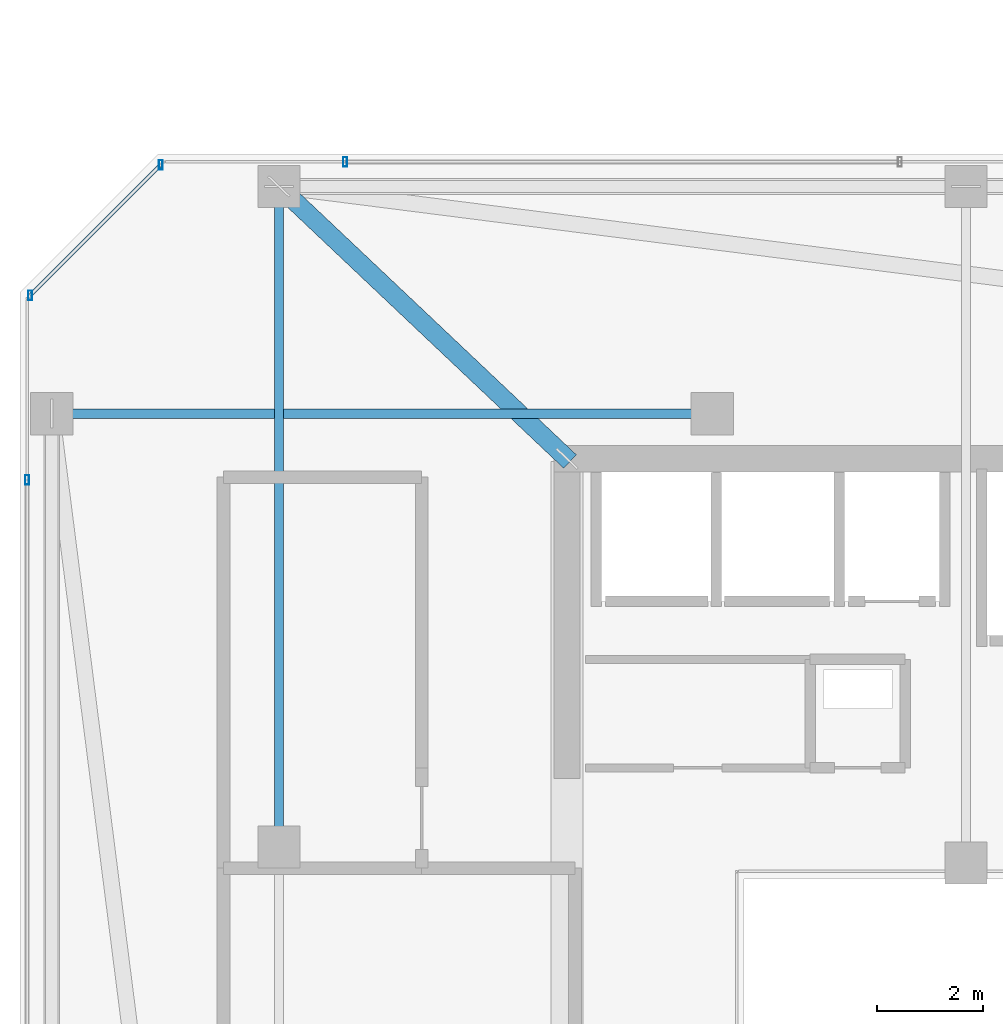
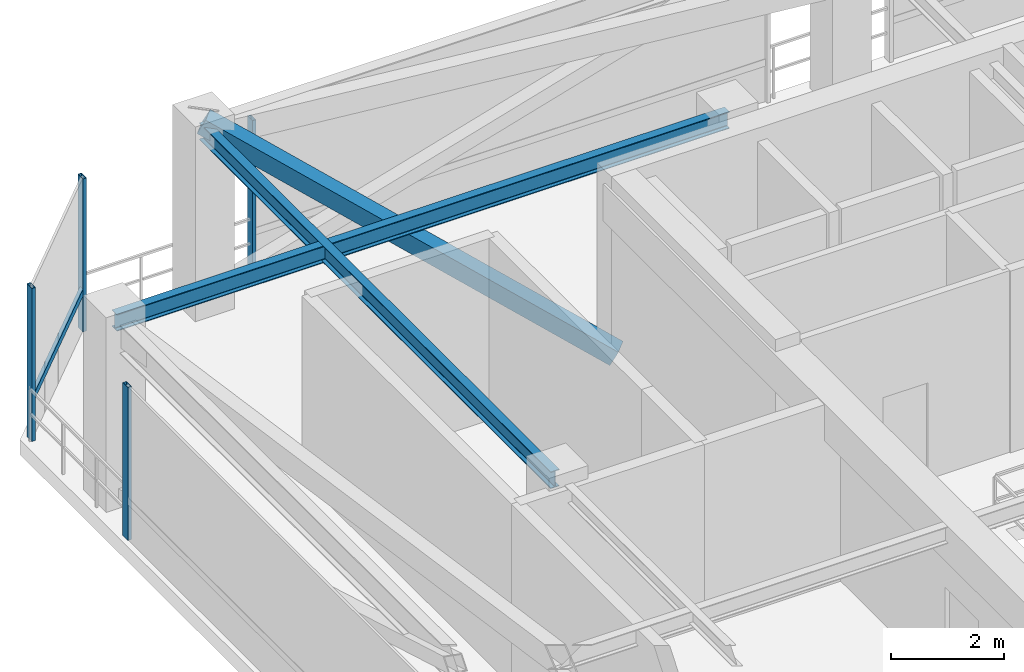
# One storey, part 20 of 47: 6 members, 2 beams, 3 elements without a shape of their own.
"""IFC4 building model written with IfcOpenShell, lengths in metres."""

from ifc_helpers import new_model, si_unit, direction, frame, origin, origin_2d, place, context, subcontext, project, spatial, hollow_rectangle, i_section, extrude, material, material_profile, profile_set, type_object, element, aggregate, save


model = new_model("IFC4")

# Units and contexts
model_context = context("Model", 3, precision=1e-05, world=origin(), true_north=direction((0.0, 1.0)))
body_context = subcontext(model_context, "Body", "Model", "MODEL_VIEW")
ifc_project = project(units=[si_unit("LENGTHUNIT", "METRE"), si_unit("AREAUNIT", "SQUARE_METRE"), si_unit("VOLUMEUNIT", "CUBIC_METRE"), si_unit("PLANEANGLEUNIT", "RADIAN"), si_unit("MASSUNIT", "GRAM", prefix="KILO")], contexts=[model_context])

# Site, building, storey
site_placement = place(None, origin())
site = spatial("IfcSite", under=ifc_project, at=site_placement, CompositionType="ELEMENT")
building_placement = place(site_placement, origin())
building = spatial("IfcBuilding", under=site, at=building_placement, Name="Thornwick Lancets Civic Towers", CompositionType="ELEMENT")
storey_placement = place(building_placement, frame((0.0, 0.0, 279.89990234375)))
storey = spatial("IfcBuildingStorey", under=building, at=storey_placement, Name="C01", CompositionType="ELEMENT", Elevation=279.89990234375)

# Beams
ifc_material_1 = material(Name="Steel S355JR", Category="steel")
ifc_material_profile_1 = material_profile(ifc_material_1, i_section(OverallWidth=0.173095703125, OverallDepth=0.36328125, WebThickness=0.009033203125, FlangeThickness=0.015625, FilletRadius=0.01025390625, at=origin_2d()), Name="UKB 356x171x67")
ifc_profile_set_1 = profile_set([ifc_material_profile_1], Name="Steel S355JR")
beam_type = type_object("IfcBeamType", Name="BM_JOIST_356_67", PredefinedType="JOIST", material=ifc_profile_set_1)
beam_1_placement = place(storey_placement, frame((12.5, 31.8798828125, 3.75830078125), z_axis=(0.0, 1.0, 0.0), x_axis=(-1.0, 0.0, 0.0)))
element("IfcBeam", 1, at=beam_1_placement, inside=storey, type_object=beam_type, Name="BM-RADIN-C01-A07", PredefinedType="JOIST", context=body_context, shape_type="SweptSolid", body=[
    extrude(i_section(OverallWidth=0.173095703125, OverallDepth=0.36328125, WebThickness=0.009033203125, FlangeThickness=0.015625, FilletRadius=0.01025390625, at=origin_2d()), origin(), (0.0, 0.0, 1.0), 12.420166015625),
])
beam_2_placement = place(storey_placement, frame((20.699951171875, 40.0, 3.75830078125), z_axis=(-1.0, 0.0, 0.0), x_axis=(0.0, -1.0, 0.0)))
element("IfcBeam", 2, at=beam_2_placement, inside=storey, type_object=beam_type, Name="BM-RADIN-C01-A12", PredefinedType="JOIST", context=body_context, shape_type="SweptSolid", body=[
    extrude(i_section(OverallWidth=0.173095703125, OverallDepth=0.36328125, WebThickness=0.009033203125, FlangeThickness=0.015625, FilletRadius=0.01025390625, at=origin_2d()), origin(), (0.0, 0.0, 1.0), 12.5),
])

# Curtain wall, member
ifc_material_2 = material(Name="Crown ring acoustic-louvre and glazing screen wall", Category="glass")
curtain_wall_type = type_object("IfcCurtainWallType", Name="CW_SYS_07", PredefinedType="NOTDEFINED", material=ifc_material_2)
curtain_wall_1_placement = place(storey_placement, origin())
curtain_wall_1 = element("IfcCurtainWall", 3, at=curtain_wall_1_placement, inside=storey, type_object=curtain_wall_type, Name="C01 Curtain Wall CW-C01-A-E4-S3", PredefinedType="NOTDEFINED")
ifc_material_3 = material(Name="Thermally broken bronze aluminium S355", Category="steel")
ifc_material_profile_2 = material_profile(ifc_material_3, hollow_rectangle(XDim=0.074951171875, YDim=0.179931640625, WallThickness=0.006103515625, at=origin_2d()), Name="RHS 180x75x6")
ifc_profile_set_2 = profile_set([ifc_material_profile_2], Name="Thermally broken bronze aluminium S355")
member_type_1 = type_object("IfcMemberType", Name="CW_MUL_180", PredefinedType="MULLION", material=ifc_profile_set_2)
member_1_placement = place(storey_placement, frame((13.75, 44.7646484375, 0.0), z_axis=(0.0, 0.0, 1.0), x_axis=(1.0, 0.0, 0.0)))
member_1 = element("IfcMember", 4, at=member_1_placement, type_object=member_type_1, Name="CW-C01-A-E4-S3 Mullion 1", PredefinedType="MULLION", context=body_context, shape_type="SweptSolid", body=[
    extrude(hollow_rectangle(XDim=0.074951171875, YDim=0.179931640625, WallThickness=0.006103515625, at=origin_2d()), origin(), (0.0, 0.0, 1.0), 3.300048828125),
])
aggregate(curtain_wall_1, [member_1])

# Curtain wall, members
curtain_wall_2_placement = place(storey_placement, origin())
curtain_wall_2 = element("IfcCurtainWall", 5, at=curtain_wall_2_placement, inside=storey, type_object=curtain_wall_type, Name="C01 Curtain Wall CW-C01-A-E5", PredefinedType="NOTDEFINED")
member_2_placement = place(storey_placement, frame((10.261962890625, 44.7080078125, 0.0), z_axis=(0.0, 0.0, 1.0), x_axis=(1.0, 0.0, 0.0)))
member_2 = element("IfcMember", 6, at=member_2_placement, type_object=member_type_1, Name="CW-C01-A-E5 Mullion 0", PredefinedType="MULLION", context=body_context, shape_type="SweptSolid", body=[
    extrude(hollow_rectangle(XDim=0.074951171875, YDim=0.179931640625, WallThickness=0.006103515625, at=origin_2d()), origin(), (0.0, 0.0, 1.0), 3.300048828125),
])
member_3_placement = place(storey_placement, frame((7.7919921875, 42.238037109375, 0.0), z_axis=(0.0, 0.0, 1.0), x_axis=(1.0, 0.0, 0.0)))
member_3 = element("IfcMember", 7, at=member_3_placement, type_object=member_type_1, Name="CW-C01-A-E5 Mullion 1", PredefinedType="MULLION", context=body_context, shape_type="SweptSolid", body=[
    extrude(hollow_rectangle(XDim=0.074951171875, YDim=0.179931640625, WallThickness=0.006103515625, at=origin_2d()), origin(), (0.0, 0.0, 1.0), 3.300048828125),
])

# Curtain wall, member
curtain_wall_3_placement = place(storey_placement, origin())
curtain_wall_3 = element("IfcCurtainWall", 8, at=curtain_wall_3_placement, inside=storey, type_object=curtain_wall_type, Name="C01 Curtain Wall CW-C01-A-E6-S1", PredefinedType="NOTDEFINED")
member_4_placement = place(storey_placement, frame((7.7353515625, 38.75, 0.0), z_axis=(0.0, 0.0, 1.0), x_axis=(1.0, 0.0, 0.0)))
member_4 = element("IfcMember", 9, at=member_4_placement, type_object=member_type_1, Name="CW-C01-A-E6-S1 Mullion 0", PredefinedType="MULLION", context=body_context, shape_type="SweptSolid", body=[
    extrude(hollow_rectangle(XDim=0.074951171875, YDim=0.179931640625, WallThickness=0.006103515625, at=origin_2d()), origin(), (0.0, 0.0, 1.0), 3.300048828125),
])
aggregate(curtain_wall_3, [member_4])

# Member
ifc_material_profile_3 = material_profile(ifc_material_3, hollow_rectangle(XDim=0.074951171875, YDim=0.14990234375, WallThickness=0.0048828125, at=origin_2d()), Name="RHS 150x75x5")
ifc_profile_set_3 = profile_set([ifc_material_profile_3], Name="Thermally broken bronze aluminium S355")
member_type_2 = type_object("IfcMemberType", Name="CW_TRN_150", PredefinedType="USERDEFINED", material=ifc_profile_set_3)
member_5_placement = place(storey_placement, frame((10.247802734375, 44.69384765625, 0.85009765625), z_axis=(-0.707106781187, -0.707106781187, 0.0), x_axis=(0.707106781187, -0.707106781187, 0.0)))
member_5 = element("IfcMember", 10, at=member_5_placement, type_object=member_type_2, Name="CW-C01-A-E5 Transom 0", ObjectType="TRANSOM", PredefinedType="USERDEFINED", context=body_context, shape_type="SweptSolid", body=[
    extrude(hollow_rectangle(XDim=0.074951171875, YDim=0.14990234375, WallThickness=0.0048828125, at=origin_2d()), origin(), (0.0, 0.0, 1.0), 3.453125),
])

aggregate(curtain_wall_2, [member_2, member_3, member_5])

ifc_material_4 = material(Name="Steel S460M", Category="steel")
ifc_material_profile_4 = material_profile(ifc_material_4, hollow_rectangle(XDim=0.35009765625, YDim=0.35009765625, WallThickness=0.01611328125, at=origin_2d()), Name="SHS 350x350x16")
ifc_profile_set_4 = profile_set([ifc_material_profile_4], Name="Steel S460M")
member_type_3 = type_object("IfcMemberType", Name="MEM_OUTRIG_SHS350", PredefinedType="BRACE", material=ifc_profile_set_4)
member_6_placement = place(storey_placement, frame((17.949951171875, 39.14990234375, 0.150146484375), z_axis=(-0.648664116628, 0.612980761558, 0.451098048942), x_axis=(-0.686832880872, -0.726815378038, 0.0)))
element("IfcMember", 11, at=member_6_placement, inside=storey, type_object=member_type_3, Name="C01 Outrigger Brace A-4", PredefinedType="BRACE", context=body_context, shape_type="SweptSolid", body=[
    extrude(hollow_rectangle(XDim=0.35009765625, YDim=0.35009765625, WallThickness=0.01611328125, at=origin_2d()), origin(), (0.0, 0.0, 1.0), 8.40185546875),
])

save(model, "model.ifc")
